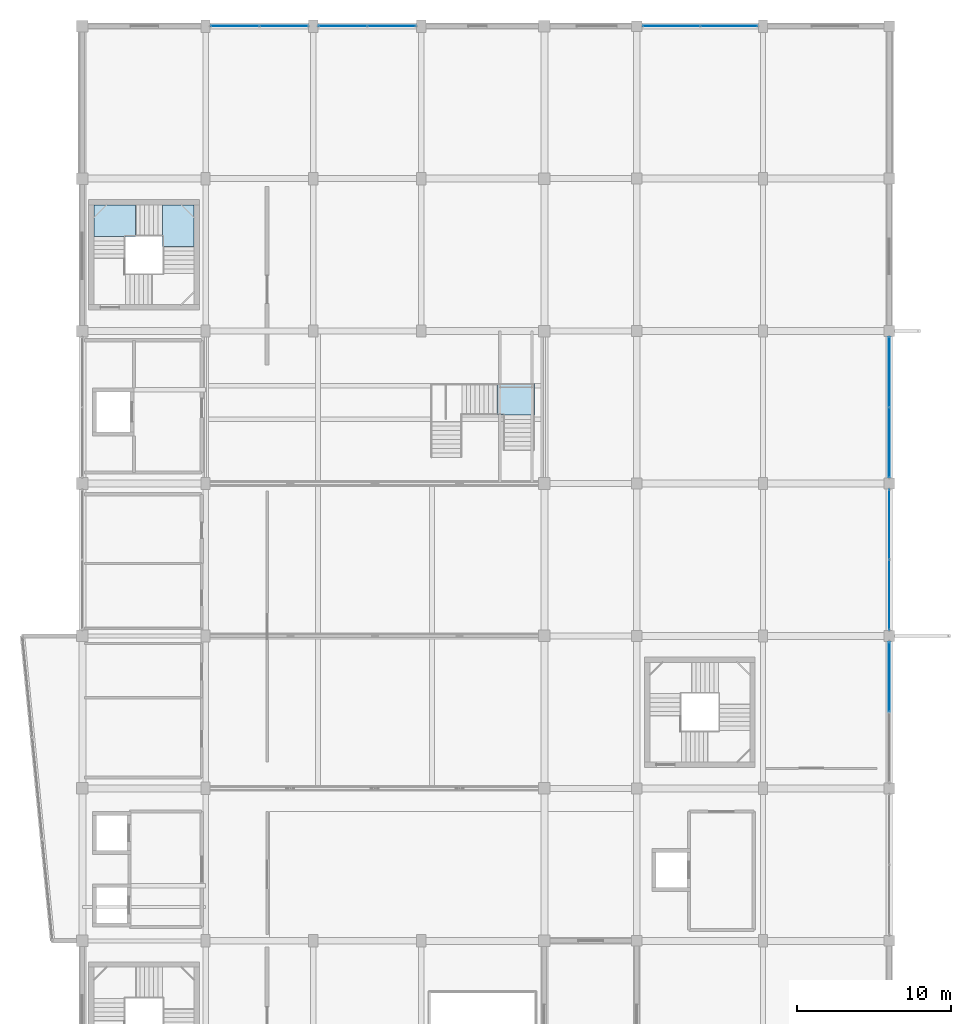
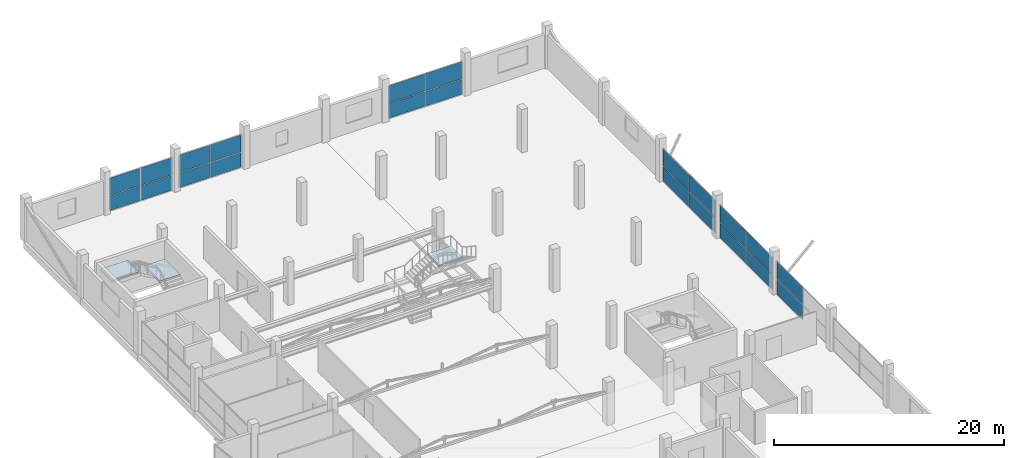
# One storey, part 34 of 49: 22 plates, 3 slabs, 8 elements without a shape of their own.
"""IFC4 building model written with IfcOpenShell, lengths in metres."""

from ifc_helpers import new_model, si_unit, direction, frame, origin, origin_2d, place, context, subcontext, project, spatial, polyline, rectangle, outline, extrude, material, layer, layer_set, type_object, element, aggregate, save


model = new_model("IFC4")

# Units and contexts
model_context = context("Model", 3, precision=1e-05, world=origin(), true_north=direction((0.0, 1.0)))
body_context = subcontext(model_context, "Body", "Model", "MODEL_VIEW")
ifc_project = project(units=[si_unit("LENGTHUNIT", "METRE"), si_unit("AREAUNIT", "SQUARE_METRE"), si_unit("VOLUMEUNIT", "CUBIC_METRE"), si_unit("PLANEANGLEUNIT", "RADIAN"), si_unit("MASSUNIT", "GRAM", prefix="KILO")], contexts=[model_context])

# Site, building, storey
site_placement = place(None, origin())
site = spatial("IfcSite", under=ifc_project, at=site_placement, CompositionType="ELEMENT")
building_placement = place(site_placement, origin())
building = spatial("IfcBuilding", under=site, at=building_placement, Name="Sillaruma Civic Art Gallery", CompositionType="ELEMENT")
storey_placement = place(building_placement, frame((0.0, 0.0, 33.14990234375)))
storey = spatial("IfcBuildingStorey", under=building, at=storey_placement, Name="L06", CompositionType="ELEMENT", Elevation=33.14990234375)

# Curtain wall, plates
ifc_material_1 = material(Name="Thermally Broken Extruded Aluminium 6063-T6", Category="aluminium")
ifc_layer_1 = layer(ifc_material_1, 0.139892578125, Name="Thermally Broken Extruded Aluminium 6063-T6")
ifc_layer_set_1 = layer_set([ifc_layer_1], Name="Thermally Broken Extruded Aluminium 6063-T6")
curtain_wall_type_1 = type_object("IfcCurtainWallType", Name="CW-UNI-43", PredefinedType="NOTDEFINED", material=ifc_layer_set_1)
curtain_wall_1_placement = place(storey_placement, origin())
curtain_wall_1 = element("IfcCurtainWall", 1, at=curtain_wall_1_placement, inside=storey, type_object=curtain_wall_type_1, Name="Unitised Curtain Wall CW-43 (CW-L06-N-6)", PredefinedType="NOTDEFINED")
ifc_material_2 = material(Name="Low-E UV-Filtered Laminated Insulating Glass", Category="glass")
ifc_layer_2 = layer(ifc_material_2, 0.028076171875, Name="Low-E UV-Filtered Laminated Insulating Glass")
ifc_layer_set_2 = layer_set([ifc_layer_2], Name="Low-E UV-Filtered Laminated Insulating Glass")
plate_type_1 = type_object("IfcPlateType", Name="PNL-GLZ-28", PredefinedType="CURTAIN_PANEL", material=ifc_layer_set_2)
plate_1_placement = place(storey_placement, frame((100.25244140625, 99.0, 0.06005859375), z_axis=(0.0, 0.0, 1.0), x_axis=(1.0, 0.0, 0.0)))
plate_1 = element("IfcPlate", 2, at=plate_1_placement, type_object=plate_type_1, Name="CW-43 panel 1.1", PredefinedType="CURTAIN_PANEL", context=body_context, shape_type="SweptSolid", body=[
    extrude(rectangle(XDim=3.68505859375, YDim=0.028076171875, at=origin_2d()), origin(), (0.0, 0.0, 1.0), 1.55224609375),
])
plate_2_placement = place(storey_placement, frame((100.25244140625, 99.0, 1.67236328125), z_axis=(0.0, 0.0, 1.0), x_axis=(1.0, 0.0, 0.0)))
plate_2 = element("IfcPlate", 3, at=plate_2_placement, type_object=plate_type_1, Name="CW-43 panel 1.2", PredefinedType="CURTAIN_PANEL", context=body_context, shape_type="SweptSolid", body=[
    extrude(rectangle(XDim=3.68505859375, YDim=0.028076171875, at=origin_2d()), origin(), (0.0, 0.0, 1.0), 1.837890625),
])
plate_3_placement = place(storey_placement, frame((103.99755859375, 99.0, 0.06005859375), z_axis=(0.0, 0.0, 1.0), x_axis=(1.0, 0.0, 0.0)))
plate_3 = element("IfcPlate", 4, at=plate_3_placement, type_object=plate_type_1, Name="CW-43 panel 2.1", PredefinedType="CURTAIN_PANEL", context=body_context, shape_type="SweptSolid", body=[
    extrude(rectangle(XDim=3.68505859375, YDim=0.028076171875, at=origin_2d()), origin(), (0.0, 0.0, 1.0), 1.55224609375),
])
plate_4_placement = place(storey_placement, frame((103.99755859375, 99.0, 1.67236328125), z_axis=(0.0, 0.0, 1.0), x_axis=(1.0, 0.0, 0.0)))
plate_4 = element("IfcPlate", 5, at=plate_4_placement, type_object=plate_type_1, Name="CW-43 panel 2.2", PredefinedType="CURTAIN_PANEL", context=body_context, shape_type="SweptSolid", body=[
    extrude(rectangle(XDim=3.68505859375, YDim=0.028076171875, at=origin_2d()), origin(), (0.0, 0.0, 1.0), 1.837890625),
])
aggregate(curtain_wall_1, [plate_1, plate_2, plate_3, plate_4])

ifc_layer_3 = layer(ifc_material_1, 0.159912109375, Name="Thermally Broken Extruded Aluminium 6063-T6")
ifc_layer_set_3 = layer_set([ifc_layer_3], Name="Thermally Broken Extruded Aluminium 6063-T6")
curtain_wall_type_2 = type_object("IfcCurtainWallType", Name="CW-UNI-35", PredefinedType="NOTDEFINED", material=ifc_layer_set_3)
curtain_wall_2_placement = place(storey_placement, origin())
curtain_wall_2 = element("IfcCurtainWall", 6, at=curtain_wall_2_placement, inside=storey, type_object=curtain_wall_type_2, Name="Unitised Curtain Wall CW-35 (CW-L06-E-5)", PredefinedType="NOTDEFINED")
ifc_layer_4 = layer(ifc_material_2, 0.030029296875, Name="Low-E UV-Filtered Laminated Insulating Glass")
ifc_layer_set_4 = layer_set([ifc_layer_4], Name="Low-E UV-Filtered Laminated Insulating Glass")
plate_type_2 = type_object("IfcPlateType", Name="PNL-GLZ-30", PredefinedType="CURTAIN_PANEL", material=ifc_layer_set_4)
plate_5_placement = place(storey_placement, frame((114.39990234375, 62.066162109375, 0.06005859375), z_axis=(0.0, 0.0, 1.0), x_axis=(0.0, 1.0, 0.0)))
plate_5 = element("IfcPlate", 7, at=plate_5_placement, type_object=plate_type_2, Name="CW-35 panel 1.1", PredefinedType="CURTAIN_PANEL", context=body_context, shape_type="SweptSolid", body=[
    extrude(rectangle(XDim=4.50244140625, YDim=0.030029296875, at=origin_2d()), origin(), (0.0, 0.0, 1.0), 1.55224609375),
])
plate_6_placement = place(storey_placement, frame((114.39990234375, 62.066162109375, 1.67236328125), z_axis=(0.0, 0.0, 1.0), x_axis=(0.0, 1.0, 0.0)))
plate_6 = element("IfcPlate", 8, at=plate_6_placement, type_object=plate_type_2, Name="CW-35 panel 1.2", PredefinedType="CURTAIN_PANEL", context=body_context, shape_type="SweptSolid", body=[
    extrude(rectangle(XDim=4.50244140625, YDim=0.030029296875, at=origin_2d()), origin(), (0.0, 0.0, 1.0), 1.837890625),
])
plate_7_placement = place(storey_placement, frame((114.39990234375, 66.6337890625, 0.06005859375), z_axis=(0.0, 0.0, 1.0), x_axis=(0.0, 1.0, 0.0)))
plate_7 = element("IfcPlate", 9, at=plate_7_placement, type_object=plate_type_2, Name="CW-35 panel 2.1", PredefinedType="CURTAIN_PANEL", context=body_context, shape_type="SweptSolid", body=[
    extrude(rectangle(XDim=4.50244140625, YDim=0.030029296875, at=origin_2d()), origin(), (0.0, 0.0, 1.0), 1.55224609375),
])
plate_8_placement = place(storey_placement, frame((114.39990234375, 66.6337890625, 1.67236328125), z_axis=(0.0, 0.0, 1.0), x_axis=(0.0, 1.0, 0.0)))
plate_8 = element("IfcPlate", 10, at=plate_8_placement, type_object=plate_type_2, Name="CW-35 panel 2.2", PredefinedType="CURTAIN_PANEL", context=body_context, shape_type="SweptSolid", body=[
    extrude(rectangle(XDim=4.50244140625, YDim=0.030029296875, at=origin_2d()), origin(), (0.0, 0.0, 1.0), 1.837890625),
])
aggregate(curtain_wall_2, [plate_5, plate_6, plate_7, plate_8])

ifc_layer_5 = layer(ifc_material_1, 0.159912109375, Name="Thermally Broken Extruded Aluminium 6063-T6")
ifc_layer_set_5 = layer_set([ifc_layer_5], Name="Thermally Broken Extruded Aluminium 6063-T6")
curtain_wall_type_3 = type_object("IfcCurtainWallType", Name="CW-UNI-37", PredefinedType="NOTDEFINED", material=ifc_layer_set_5)
curtain_wall_3_placement = place(storey_placement, origin())
curtain_wall_3 = element("IfcCurtainWall", 11, at=curtain_wall_3_placement, inside=storey, type_object=curtain_wall_type_3, Name="Unitised Curtain Wall CW-37 (CW-L06-N-2)", PredefinedType="NOTDEFINED")
plate_9_placement = place(storey_placement, frame((71.916259765625, 99.0, 0.06005859375), z_axis=(0.0, 0.0, 1.0), x_axis=(1.0, 0.0, 0.0)))
plate_9 = element("IfcPlate", 12, at=plate_9_placement, type_object=plate_type_2, Name="CW-37 panel 1.1", PredefinedType="CURTAIN_PANEL", context=body_context, shape_type="SweptSolid", body=[
    extrude(rectangle(XDim=3.1025390625, YDim=0.030029296875, at=origin_2d()), origin(), (0.0, 0.0, 1.0), 1.55224609375),
])
plate_10_placement = place(storey_placement, frame((71.916259765625, 99.0, 1.67236328125), z_axis=(0.0, 0.0, 1.0), x_axis=(1.0, 0.0, 0.0)))
plate_10 = element("IfcPlate", 13, at=plate_10_placement, type_object=plate_type_2, Name="CW-37 panel 1.2", PredefinedType="CURTAIN_PANEL", context=body_context, shape_type="SweptSolid", body=[
    extrude(rectangle(XDim=3.1025390625, YDim=0.030029296875, at=origin_2d()), origin(), (0.0, 0.0, 1.0), 1.837890625),
])
plate_11_placement = place(storey_placement, frame((75.083740234375, 99.0, 0.06005859375), z_axis=(0.0, 0.0, 1.0), x_axis=(1.0, 0.0, 0.0)))
plate_11 = element("IfcPlate", 14, at=plate_11_placement, type_object=plate_type_2, Name="CW-37 panel 2.1", PredefinedType="CURTAIN_PANEL", context=body_context, shape_type="SweptSolid", body=[
    extrude(rectangle(XDim=3.1025390625, YDim=0.030029296875, at=origin_2d()), origin(), (0.0, 0.0, 1.0), 1.55224609375),
])
plate_12_placement = place(storey_placement, frame((75.083740234375, 99.0, 1.67236328125), z_axis=(0.0, 0.0, 1.0), x_axis=(1.0, 0.0, 0.0)))
plate_12 = element("IfcPlate", 15, at=plate_12_placement, type_object=plate_type_2, Name="CW-37 panel 2.2", PredefinedType="CURTAIN_PANEL", context=body_context, shape_type="SweptSolid", body=[
    extrude(rectangle(XDim=3.1025390625, YDim=0.030029296875, at=origin_2d()), origin(), (0.0, 0.0, 1.0), 1.837890625),
])
aggregate(curtain_wall_3, [plate_9, plate_10, plate_11, plate_12])

ifc_layer_6 = layer(ifc_material_1, 0.139892578125, Name="Thermally Broken Extruded Aluminium 6063-T6")
ifc_layer_set_6 = layer_set([ifc_layer_6], Name="Thermally Broken Extruded Aluminium 6063-T6")
curtain_wall_type_4 = type_object("IfcCurtainWallType", Name="CW-UNI-40", PredefinedType="NOTDEFINED", material=ifc_layer_set_6)
curtain_wall_4_placement = place(storey_placement, origin())
curtain_wall_4 = element("IfcCurtainWall", 16, at=curtain_wall_4_placement, inside=storey, type_object=curtain_wall_type_4, Name="Unitised Curtain Wall CW-40 (CW-L06-E-6)", PredefinedType="NOTDEFINED")
ifc_layer_7 = layer(ifc_material_2, 0.033935546875, Name="Low-E UV-Filtered Laminated Insulating Glass")
ifc_layer_set_7 = layer_set([ifc_layer_7], Name="Low-E UV-Filtered Laminated Insulating Glass")
plate_type_3 = type_object("IfcPlateType", Name="PNL-GLZ-34", PredefinedType="CURTAIN_PANEL", material=ifc_layer_set_7)
plate_13_placement = place(storey_placement, frame((114.39990234375, 71.965087890625, 0.06494140625), z_axis=(0.0, 0.0, 1.0), x_axis=(0.0, 1.0, 0.0)))
plate_13 = element("IfcPlate", 17, at=plate_13_placement, type_object=plate_type_3, Name="CW-40 panel 1.1", PredefinedType="CURTAIN_PANEL", context=body_context, shape_type="SweptSolid", body=[
    extrude(rectangle(XDim=4.510009765625, YDim=0.033935546875, at=origin_2d()), origin(), (0.0, 0.0, 1.0), 1.544677734375),
])
plate_14_placement = place(storey_placement, frame((114.39990234375, 71.965087890625, 1.6748046875), z_axis=(0.0, 0.0, 1.0), x_axis=(0.0, 1.0, 0.0)))
plate_14 = element("IfcPlate", 18, at=plate_14_placement, type_object=plate_type_3, Name="CW-40 panel 1.2", PredefinedType="CURTAIN_PANEL", context=body_context, shape_type="SweptSolid", body=[
    extrude(rectangle(XDim=4.510009765625, YDim=0.033935546875, at=origin_2d()), origin(), (0.0, 0.0, 1.0), 1.830322265625),
])
plate_15_placement = place(storey_placement, frame((114.39990234375, 76.534912109375, 0.06494140625), z_axis=(0.0, 0.0, 1.0), x_axis=(0.0, 1.0, 0.0)))
plate_15 = element("IfcPlate", 19, at=plate_15_placement, type_object=plate_type_3, Name="CW-40 panel 2.1", PredefinedType="CURTAIN_PANEL", context=body_context, shape_type="SweptSolid", body=[
    extrude(rectangle(XDim=4.510009765625, YDim=0.033935546875, at=origin_2d()), origin(), (0.0, 0.0, 1.0), 1.544677734375),
])
plate_16_placement = place(storey_placement, frame((114.39990234375, 76.534912109375, 1.6748046875), z_axis=(0.0, 0.0, 1.0), x_axis=(0.0, 1.0, 0.0)))
plate_16 = element("IfcPlate", 20, at=plate_16_placement, type_object=plate_type_3, Name="CW-40 panel 2.2", PredefinedType="CURTAIN_PANEL", context=body_context, shape_type="SweptSolid", body=[
    extrude(rectangle(XDim=4.510009765625, YDim=0.033935546875, at=origin_2d()), origin(), (0.0, 0.0, 1.0), 1.830322265625),
])
aggregate(curtain_wall_4, [plate_13, plate_14, plate_15, plate_16])

ifc_layer_8 = layer(ifc_material_1, 0.139892578125, Name="Thermally Broken Extruded Aluminium 6063-T6")
ifc_layer_set_8 = layer_set([ifc_layer_8], Name="Thermally Broken Extruded Aluminium 6063-T6")
curtain_wall_type_5 = type_object("IfcCurtainWallType", Name="CW-UNI-42", PredefinedType="NOTDEFINED", material=ifc_layer_set_8)
curtain_wall_5_placement = place(storey_placement, origin())
curtain_wall_5 = element("IfcCurtainWall", 21, at=curtain_wall_5_placement, inside=storey, type_object=curtain_wall_type_5, Name="Unitised Curtain Wall CW-42 (CW-L06-N-3)", PredefinedType="NOTDEFINED")
plate_17_placement = place(storey_placement, frame((78.9150390625, 99.0, 0.06494140625), z_axis=(0.0, 0.0, 1.0), x_axis=(1.0, 0.0, 0.0)))
plate_17 = element("IfcPlate", 22, at=plate_17_placement, type_object=plate_type_3, Name="CW-42 panel 1.1", PredefinedType="CURTAIN_PANEL", context=body_context, shape_type="SweptSolid", body=[
    extrude(rectangle(XDim=3.110107421875, YDim=0.033935546875, at=origin_2d()), origin(), (0.0, 0.0, 1.0), 1.544677734375),
])
plate_18_placement = place(storey_placement, frame((78.9150390625, 99.0, 1.6748046875), z_axis=(0.0, 0.0, 1.0), x_axis=(1.0, 0.0, 0.0)))
plate_18 = element("IfcPlate", 23, at=plate_18_placement, type_object=plate_type_3, Name="CW-42 panel 1.2", PredefinedType="CURTAIN_PANEL", context=body_context, shape_type="SweptSolid", body=[
    extrude(rectangle(XDim=3.110107421875, YDim=0.033935546875, at=origin_2d()), origin(), (0.0, 0.0, 1.0), 1.830322265625),
])
plate_19_placement = place(storey_placement, frame((82.0849609375, 99.0, 0.06494140625), z_axis=(0.0, 0.0, 1.0), x_axis=(1.0, 0.0, 0.0)))
plate_19 = element("IfcPlate", 24, at=plate_19_placement, type_object=plate_type_3, Name="CW-42 panel 2.1", PredefinedType="CURTAIN_PANEL", context=body_context, shape_type="SweptSolid", body=[
    extrude(rectangle(XDim=3.110107421875, YDim=0.033935546875, at=origin_2d()), origin(), (0.0, 0.0, 1.0), 1.544677734375),
])
plate_20_placement = place(storey_placement, frame((82.0849609375, 99.0, 1.6748046875), z_axis=(0.0, 0.0, 1.0), x_axis=(1.0, 0.0, 0.0)))
plate_20 = element("IfcPlate", 25, at=plate_20_placement, type_object=plate_type_3, Name="CW-42 panel 2.2", PredefinedType="CURTAIN_PANEL", context=body_context, shape_type="SweptSolid", body=[
    extrude(rectangle(XDim=3.110107421875, YDim=0.033935546875, at=origin_2d()), origin(), (0.0, 0.0, 1.0), 1.830322265625),
])
aggregate(curtain_wall_5, [plate_17, plate_18, plate_19, plate_20])

ifc_layer_9 = layer(ifc_material_1, 0.179931640625, Name="Thermally Broken Extruded Aluminium 6063-T6")
ifc_layer_set_9 = layer_set([ifc_layer_9], Name="Thermally Broken Extruded Aluminium 6063-T6")
curtain_wall_type_6 = type_object("IfcCurtainWallType", Name="CW-UNI-34", PredefinedType="NOTDEFINED", material=ifc_layer_set_9)
curtain_wall_6_placement = place(storey_placement, origin())
curtain_wall_6 = element("IfcCurtainWall", 26, at=curtain_wall_6_placement, inside=storey, type_object=curtain_wall_type_6, Name="Unitised Curtain Wall CW-34 (CW-L06-E-4)", PredefinedType="NOTDEFINED")
ifc_layer_10 = layer(ifc_material_2, 0.0400390625, Name="Low-E UV-Filtered Laminated Insulating Glass")
ifc_layer_set_10 = layer_set([ifc_layer_10], Name="Low-E UV-Filtered Laminated Insulating Glass")
plate_type_4 = type_object("IfcPlateType", Name="PNL-GLZ-40", PredefinedType="CURTAIN_PANEL", material=ifc_layer_set_10)
plate_21_placement = place(storey_placement, frame((114.39990234375, 56.732421875, 0.06494140625), z_axis=(0.0, 0.0, 1.0), x_axis=(0.0, 1.0, 0.0)))
plate_21 = element("IfcPlate", 27, at=plate_21_placement, type_object=plate_type_4, Name="CW-34 panel 2.1", PredefinedType="CURTAIN_PANEL", context=body_context, shape_type="SweptSolid", body=[
    extrude(rectangle(XDim=4.4951171875, YDim=0.0400390625, at=origin_2d()), origin(), (0.0, 0.0, 1.0), 1.544677734375),
])
plate_22_placement = place(storey_placement, frame((114.39990234375, 56.732421875, 1.6748046875), z_axis=(0.0, 0.0, 1.0), x_axis=(0.0, 1.0, 0.0)))
plate_22 = element("IfcPlate", 28, at=plate_22_placement, type_object=plate_type_4, Name="CW-34 panel 2.2", PredefinedType="CURTAIN_PANEL", context=body_context, shape_type="SweptSolid", body=[
    extrude(rectangle(XDim=4.4951171875, YDim=0.0400390625, at=origin_2d()), origin(), (0.0, 0.0, 1.0), 1.830322265625),
])
aggregate(curtain_wall_6, [plate_21, plate_22])

# Stair, slab
ifc_material_3 = material(Name="Concrete H35 (35 MPa)", Category="concrete")
stair_type_1 = type_object("IfcStairType", Name="STR-3F-27", PredefinedType="TWO_QUARTER_TURN_STAIR", material=ifc_material_3)
stair_1_placement = place(storey_placement, origin())
stair_1 = element("IfcStair", 29, at=stair_1_placement, inside=storey, type_object=stair_type_1, Name="Monumental Gallery Feature Stair ST-G03 (L06)", PredefinedType="TWO_QUARTER_TURN_STAIR")
ifc_layer_11 = layer(ifc_material_3, 0.18505859375, Name="Concrete H35 (35 MPa)")
ifc_layer_set_11 = layer_set([ifc_layer_11], Name="Concrete H35 (35 MPa)")
slab_type_1 = type_object("IfcSlabType", Name="SLB-LND-185", PredefinedType="LANDING", material=ifc_layer_set_11)
slab_1_placement = place(storey_placement, frame((0.0, 0.0, 2.875)))
slab_1 = element("IfcSlab", 30, at=slab_1_placement, type_object=slab_type_1, Name="ST-G03 landing 2", PredefinedType="LANDING", context=body_context, shape_type="SweptSolid", body=[
    extrude(outline(polyline([(88.9599609375, 73.760009765625), (91.360107421875, 73.760009765625), (91.360107421875, 75.800048828125), (88.9599609375, 75.800048828125), (88.9599609375, 73.760009765625)])), origin(), (0.0, 0.0, 1.0), 0.18505859375),
])
aggregate(stair_1, [slab_1])

# Stair, slabs
stair_type_2 = type_object("IfcStairType", Name="STR-4F-27", PredefinedType="USERDEFINED", material=ifc_material_3)
stair_2_placement = place(storey_placement, origin())
stair_2 = element("IfcStair", 31, at=stair_2_placement, inside=storey, type_object=stair_type_2, Name="Protected Exit Stair ST-02 (West Bar North) (L06)", ObjectType="THREE_RETURN_STAIR", PredefinedType="USERDEFINED")
ifc_layer_12 = layer(ifc_material_3, 0.199951171875, Name="Concrete H35 (35 MPa)")
ifc_layer_set_12 = layer_set([ifc_layer_12], Name="Concrete H35 (35 MPa)")
slab_type_2 = type_object("IfcSlabType", Name="SLB-LND-200", PredefinedType="LANDING", material=ifc_layer_set_12)
slab_2_placement = place(storey_placement, frame((0.0, 0.0, 2.18017578125)))
slab_2 = element("IfcSlab", 32, at=slab_2_placement, type_object=slab_type_2, Name="ST-02 landing 2", PredefinedType="LANDING", context=body_context, shape_type="SweptSolid", body=[
    extrude(outline(polyline([(67.199951171875, 84.68994140625), (69.239990234375, 84.68994140625), (69.239990234375, 87.389892578125), (67.199951171875, 87.389892578125), (67.199951171875, 84.68994140625)])), origin(), (0.0, 0.0, 1.0), 0.199951171875),
])
slab_3_placement = place(storey_placement, frame((0.0, 0.0, 3.3701171875)))
slab_3 = element("IfcSlab", 33, at=slab_3_placement, type_object=slab_type_2, Name="ST-02 landing 3", PredefinedType="LANDING", context=body_context, shape_type="SweptSolid", body=[
    extrude(outline(polyline([(62.760009765625, 85.35009765625), (65.4599609375, 85.35009765625), (65.4599609375, 87.389892578125), (62.760009765625, 87.389892578125), (62.760009765625, 85.35009765625)])), origin(), (0.0, 0.0, 1.0), 0.199951171875),
])
aggregate(stair_2, [slab_2, slab_3])

save(model, "model.ifc")
